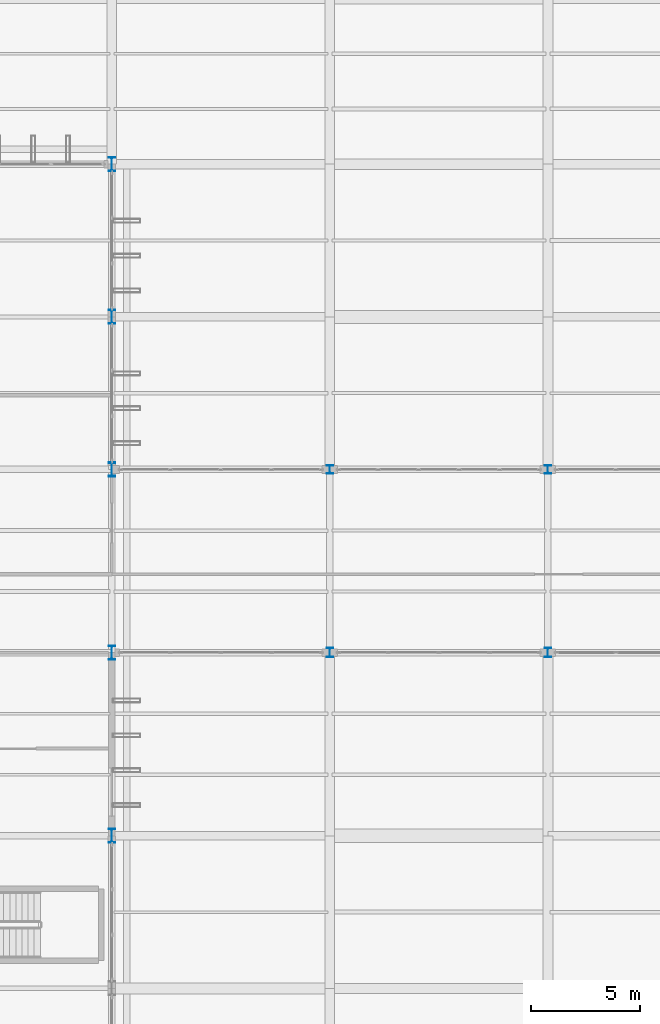
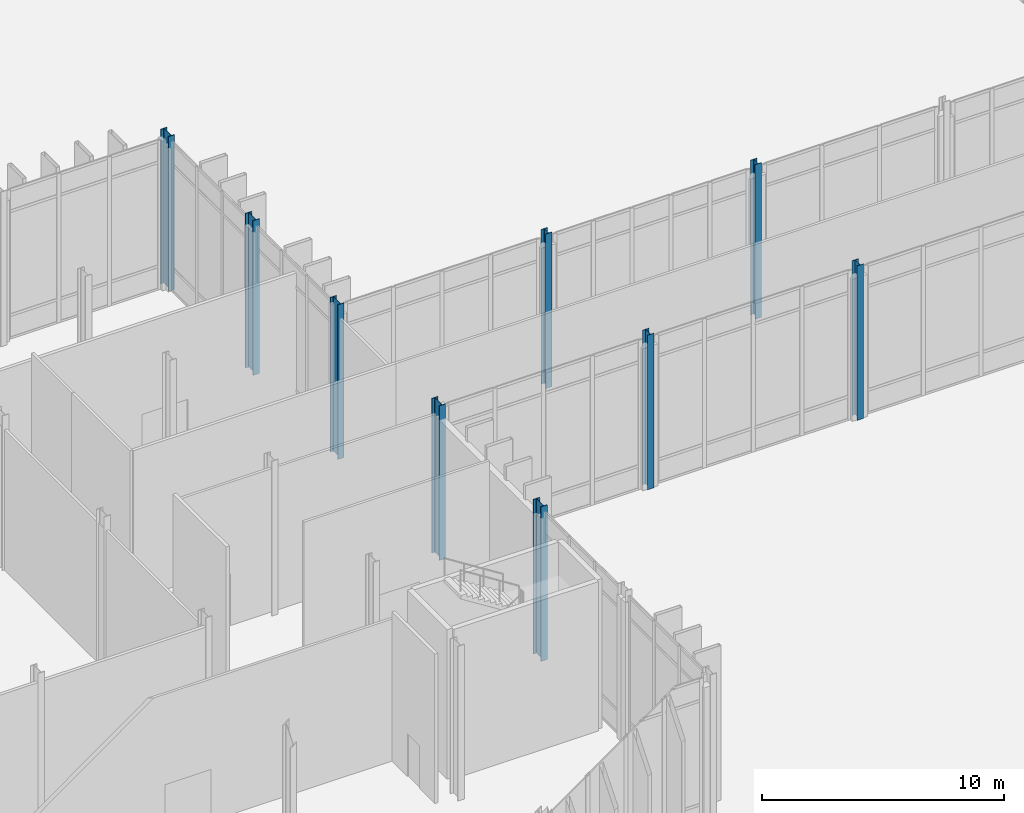
# One storey, part 19 of 176: 9 columns.
"""IFC4 building model written with IfcOpenShell, lengths in metres."""

from ifc_helpers import new_model, si_unit, direction, frame, origin, origin_2d, place, context, subcontext, project, spatial, i_section, extrude, material, material_profile, profile_set, type_object, element, save


model = new_model("IFC4")

# Units and contexts
model_context = context("Model", 3, precision=1e-05, world=origin(), true_north=direction((0.0, 1.0)))
body_context = subcontext(model_context, "Body", "Model", "MODEL_VIEW")
ifc_project = project(units=[si_unit("LENGTHUNIT", "METRE"), si_unit("AREAUNIT", "SQUARE_METRE"), si_unit("VOLUMEUNIT", "CUBIC_METRE"), si_unit("PLANEANGLEUNIT", "RADIAN"), si_unit("MASSUNIT", "GRAM", prefix="KILO")], contexts=[model_context])

# Site, building, storey
site_placement = place(None, origin())
site = spatial("IfcSite", under=ifc_project, at=site_placement, CompositionType="ELEMENT")
building_placement = place(site_placement, origin())
building = spatial("IfcBuilding", under=site, at=building_placement, Name="Vekula Escarpment Museum", CompositionType="ELEMENT")
storey_placement = place(building_placement, origin())
storey = spatial("IfcBuildingStorey", under=building, at=storey_placement, Name="L01", CompositionType="ELEMENT", Elevation=0.0)

# Columns
ifc_material_1 = material(Name="Steel S355", Category="steel")
ifc_material_profile_1 = material_profile(ifc_material_1, i_section(OverallWidth=0.300048828125, OverallDepth=0.389892578125, WebThickness=0.010986328125, FlangeThickness=0.01904296875, FilletRadius=0.027099609375, at=origin_2d()), Name="HEA 400")
ifc_profile_set_1 = profile_set([ifc_material_profile_1], Name="Steel S355")
column_type_1 = type_object("IfcColumnType", Name="COL-S-HEA400", PredefinedType="COLUMN", material=ifc_profile_set_1)
for number, where, z_axis, x_axis, name in (
    (1, (136.0, 76.39990234375, 0.0), (0.0, 0.0, 1.0), (1.0, 0.0, 0.0), "Column L01 (136.0,76.4)"),
    (2, (146.0, 76.39990234375, 0.0), (0.0, 0.0, 1.0), (1.0, 0.0, 0.0), "Column L01 (146.0,76.4)"),
):
    element("IfcColumn", number, at=place(storey_placement, frame(where, z_axis=z_axis, x_axis=x_axis)), inside=storey, type_object=column_type_1, Name=name, PredefinedType="COLUMN", context=body_context, shape_type="SweptSolid", body=[
        extrude(i_section(OverallWidth=0.300048828125, OverallDepth=0.389892578125, WebThickness=0.010986328125, FlangeThickness=0.01904296875, FilletRadius=0.027099609375, at=origin_2d()), origin(), (0.0, 0.0, 1.0), 7.800048828125),
    ])
ifc_material_2 = material(Name="Steel S355", Category="steel")
ifc_material_profile_2 = material_profile(ifc_material_2, i_section(OverallWidth=0.300048828125, OverallDepth=0.43994140625, WebThickness=0.011474609375, FlangeThickness=0.02099609375, FilletRadius=0.027099609375, at=origin_2d()), Name="HEA 450")
ifc_profile_set_2 = profile_set([ifc_material_profile_2], Name="Steel S355")
column_type_2 = type_object("IfcColumnType", Name="COL-S-HEA450", PredefinedType="COLUMN", material=ifc_profile_set_2)
for number, where, z_axis, x_axis, name in (
    (3, (136.0, 68.0, 0.0), (0.0, 0.0, 1.0), (1.0, 0.0, 0.0), "Column L01 (136.0,68.0)"),
    (4, (146.0, 68.0, 0.0), (0.0, 0.0, 1.0), (1.0, 0.0, 0.0), "Column L01 (146.0,68.0)"),
):
    element("IfcColumn", number, at=place(storey_placement, frame(where, z_axis=z_axis, x_axis=x_axis)), inside=storey, type_object=column_type_2, Name=name, PredefinedType="COLUMN", context=body_context, shape_type="SweptSolid", body=[
        extrude(i_section(OverallWidth=0.300048828125, OverallDepth=0.43994140625, WebThickness=0.011474609375, FlangeThickness=0.02099609375, FilletRadius=0.027099609375, at=origin_2d()), origin(), (0.0, 0.0, 1.0), 7.800048828125),
    ])
ifc_material_3 = material(Name="Steel S355", Category="steel")
ifc_material_profile_3 = material_profile(ifc_material_3, i_section(OverallWidth=0.300048828125, OverallDepth=0.64990234375, WebThickness=0.01611328125, FlangeThickness=0.031005859375, FilletRadius=0.027099609375, at=origin_2d()), Name="HEB 650")
ifc_profile_set_3 = profile_set([ifc_material_profile_3], Name="Steel S355")
column_type_3 = type_object("IfcColumnType", Name="COL-S-HEB650", PredefinedType="COLUMN", material=ifc_profile_set_3)
for number, where, z_axis, x_axis, name in (
    (5, (126.0, 59.60009765625, 0.0), (0.0, 0.0, 1.0), (1.0, 0.0, 0.0), "Column L01 (126.0,59.6)"),
    (6, (126.0, 68.0, 0.0), (0.0, 0.0, 1.0), (1.0, 0.0, 0.0), "Column L01 (126.0,68.0)"),
    (7, (126.0, 76.39990234375, 0.0), (0.0, 0.0, 1.0), (1.0, 0.0, 0.0), "Column L01 (126.0,76.4)"),
    (8, (126.0, 83.39990234375, 0.0), (0.0, 0.0, 1.0), (1.0, 0.0, 0.0), "Column L01 (126.0,83.4)"),
    (9, (126.0, 90.39990234375, 0.0), (0.0, 0.0, 1.0), (1.0, 0.0, 0.0), "Column L01 (126.0,90.4)"),
):
    element("IfcColumn", number, at=place(storey_placement, frame(where, z_axis=z_axis, x_axis=x_axis)), inside=storey, type_object=column_type_3, Name=name, PredefinedType="COLUMN", context=body_context, shape_type="SweptSolid", body=[
        extrude(i_section(OverallWidth=0.300048828125, OverallDepth=0.64990234375, WebThickness=0.01611328125, FlangeThickness=0.031005859375, FilletRadius=0.027099609375, at=origin_2d()), origin(), (0.0, 0.0, 1.0), 7.800048828125),
    ])

save(model, "model.ifc")
